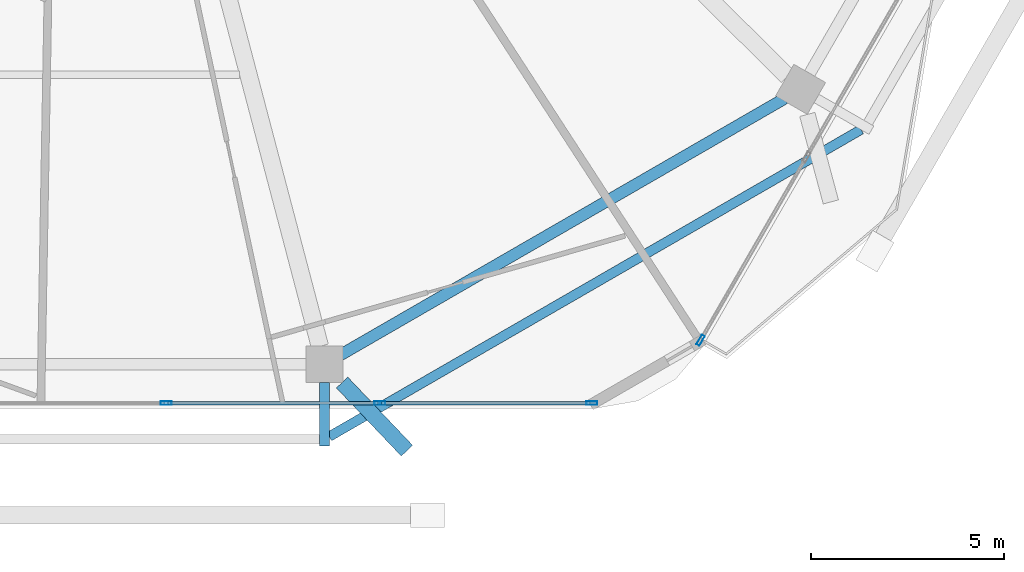
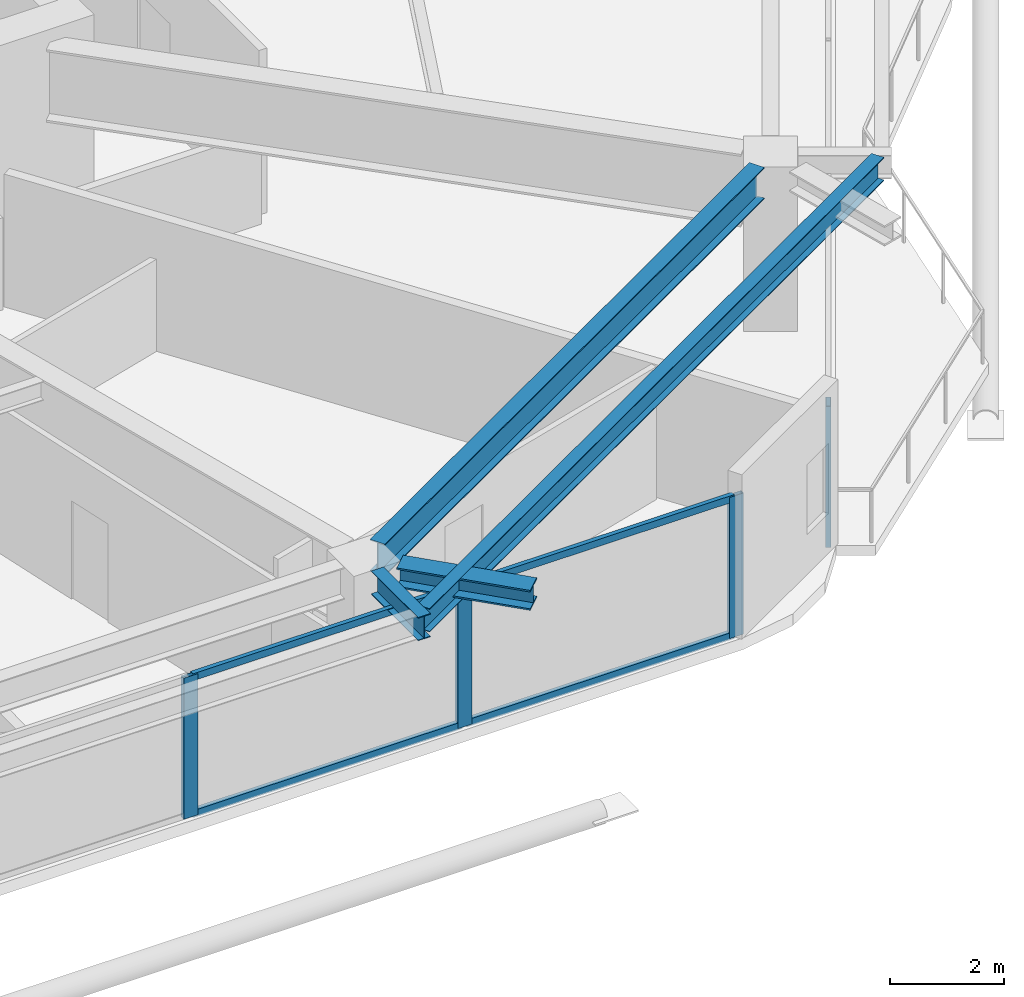
# One storey, part 8 of 28: 8 members, 4 beams, 2 elements without a shape of their own.
"""IFC4 building model written with IfcOpenShell, lengths in metres."""

from ifc_helpers import new_model, si_unit, direction, frame, origin, origin_2d, place, context, subcontext, project, spatial, hollow_rectangle, i_section, extrude, material, material_profile, profile_set, type_object, element, aggregate, save


model = new_model("IFC4")

# Units and contexts
model_context = context("Model", 3, precision=1e-05, world=origin(), true_north=direction((0.0, 1.0)))
body_context = subcontext(model_context, "Body", "Model", "MODEL_VIEW")
ifc_project = project(units=[si_unit("LENGTHUNIT", "METRE"), si_unit("AREAUNIT", "SQUARE_METRE"), si_unit("VOLUMEUNIT", "CUBIC_METRE"), si_unit("PLANEANGLEUNIT", "RADIAN"), si_unit("MASSUNIT", "GRAM", prefix="KILO")], contexts=[model_context])

# Site, building, storey
site_placement = place(None, origin())
site = spatial("IfcSite", under=ifc_project, at=site_placement, CompositionType="ELEMENT")
building_placement = place(site_placement, origin())
building = spatial("IfcBuilding", under=site, at=building_placement, Name="Zuhravey Tower", CompositionType="ELEMENT")
storey_placement = place(building_placement, frame((0.0, 0.0, 222.60009765625)))
storey = spatial("IfcBuildingStorey", under=building, at=storey_placement, Name="L56", CompositionType="ELEMENT", Elevation=222.60009765625)

# Curtain wall, member
ifc_material_1 = material(Name="Thermally broken anodised aluminium", Category="aluminium")
curtain_wall_type = type_object("IfcCurtainWallType", Name="Zone 1-2 Residential Curtain Wall CW3", PredefinedType="NOTDEFINED", material=ifc_material_1)
curtain_wall_1_placement = place(storey_placement, origin())
curtain_wall_1 = element("IfcCurtainWall", 1, at=curtain_wall_1_placement, inside=storey, type_object=curtain_wall_type, Name="L56 CW3 CW-L56-F6-2", PredefinedType="NOTDEFINED")
ifc_material_2 = material(Name="Anodised aluminium", Category="aluminium")
ifc_material_profile_1 = material_profile(ifc_material_2, hollow_rectangle(XDim=0.090087890625, YDim=0.284912109375, WallThickness=0.0048828125, at=origin_2d()), Name="ALU-RHS-90x285x5")
ifc_profile_set_1 = profile_set([ifc_material_profile_1], Name="Anodised aluminium")
member_type_1 = type_object("IfcMemberType", Name="Curtain-Wall Mullion 90x180", PredefinedType="MULLION", material=ifc_profile_set_1)
member_1_placement = place(storey_placement, frame((52.63330078125, 6.443359375, 0.0), z_axis=(0.0, 0.0, 1.0), x_axis=(0.866025738172, -0.499999420824, 0.0)))
member_1 = element("IfcMember", 2, at=member_1_placement, type_object=member_type_1, Name="CW3 mullion 5", PredefinedType="MULLION", context=body_context, shape_type="SweptSolid", body=[
    extrude(hollow_rectangle(XDim=0.090087890625, YDim=0.284912109375, WallThickness=0.0048828125, at=origin_2d()), origin(), (0.0, 0.0, 1.0), 3.02001953125),
])
aggregate(curtain_wall_1, [member_1])

# Curtain wall, members
curtain_wall_2_placement = place(storey_placement, origin())
curtain_wall_2 = element("IfcCurtainWall", 3, at=curtain_wall_2_placement, inside=storey, type_object=curtain_wall_type, Name="L56 CW3 CW-L56-F5-1", PredefinedType="NOTDEFINED")
member_2_placement = place(storey_placement, frame((49.816162109375, 4.81689453125, 0.0), z_axis=(0.0, 0.0, 1.0), x_axis=(0.0, -1.0, 0.0)))
member_2 = element("IfcMember", 4, at=member_2_placement, type_object=member_type_1, Name="CW3 mullion 1", PredefinedType="MULLION", context=body_context, shape_type="SweptSolid", body=[
    extrude(hollow_rectangle(XDim=0.090087890625, YDim=0.284912109375, WallThickness=0.0048828125, at=origin_2d()), origin(), (0.0, 0.0, 1.0), 3.02001953125),
])
member_3_placement = place(storey_placement, frame((44.316650390625, 4.81689453125, 0.0), z_axis=(0.0, 0.0, 1.0), x_axis=(0.0, -1.0, 0.0)))
member_3 = element("IfcMember", 5, at=member_3_placement, type_object=member_type_1, Name="CW3 mullion 2", PredefinedType="MULLION", context=body_context, shape_type="SweptSolid", body=[
    extrude(hollow_rectangle(XDim=0.090087890625, YDim=0.284912109375, WallThickness=0.0048828125, at=origin_2d()), origin(), (0.0, 0.0, 1.0), 3.02001953125),
])
member_4_placement = place(storey_placement, frame((38.772216796875, 4.81689453125, 0.0), z_axis=(0.0, 0.0, 1.0), x_axis=(0.0, -1.0, 0.0)))
member_4 = element("IfcMember", 6, at=member_4_placement, type_object=member_type_1, Name="CW3 mullion 3", PredefinedType="MULLION", context=body_context, shape_type="SweptSolid", body=[
    extrude(hollow_rectangle(XDim=0.090087890625, YDim=0.284912109375, WallThickness=0.0048828125, at=origin_2d()), origin(), (0.0, 0.0, 1.0), 3.02001953125),
])
ifc_material_profile_2 = material_profile(ifc_material_2, hollow_rectangle(XDim=0.090087890625, YDim=0.14990234375, WallThickness=0.0048828125, at=origin_2d()), Name="ALU-RHS-90x150x5")
ifc_profile_set_2 = profile_set([ifc_material_profile_2], Name="Anodised aluminium")
member_type_2 = type_object("IfcMemberType", Name="Curtain-Wall Transom 90x150", PredefinedType="USERDEFINED", material=ifc_profile_set_2)
member_5_placement = place(storey_placement, frame((49.77099609375, 4.81689453125, 0.044921875), z_axis=(-1.0, 0.0, 0.0), x_axis=(0.0, -1.0, 0.0)))
member_5 = element("IfcMember", 7, at=member_5_placement, type_object=member_type_2, Name="CW3 transom 1.1", ObjectType="TRANSOM", PredefinedType="USERDEFINED", context=body_context, shape_type="SweptSolid", body=[
    extrude(hollow_rectangle(XDim=0.090087890625, YDim=0.14990234375, WallThickness=0.0048828125, at=origin_2d()), origin(), (0.0, 0.0, 1.0), 5.409423828125),
])
member_6_placement = place(storey_placement, frame((49.77099609375, 4.81689453125, 2.974853515625), z_axis=(-1.0, 0.0, 0.0), x_axis=(0.0, -1.0, 0.0)))
member_6 = element("IfcMember", 8, at=member_6_placement, type_object=member_type_2, Name="CW3 transom 1.2", ObjectType="TRANSOM", PredefinedType="USERDEFINED", context=body_context, shape_type="SweptSolid", body=[
    extrude(hollow_rectangle(XDim=0.090087890625, YDim=0.14990234375, WallThickness=0.0048828125, at=origin_2d()), origin(), (0.0, 0.0, 1.0), 5.409423828125),
])
member_7_placement = place(storey_placement, frame((44.271728515625, 4.81689453125, 0.044921875), z_axis=(-1.0, 0.0, 0.0), x_axis=(0.0, -1.0, 0.0)))
member_7 = element("IfcMember", 9, at=member_7_placement, type_object=member_type_2, Name="CW3 transom 2.1", ObjectType="TRANSOM", PredefinedType="USERDEFINED", context=body_context, shape_type="SweptSolid", body=[
    extrude(hollow_rectangle(XDim=0.090087890625, YDim=0.14990234375, WallThickness=0.0048828125, at=origin_2d()), origin(), (0.0, 0.0, 1.0), 5.45458984375),
])
member_8_placement = place(storey_placement, frame((44.271728515625, 4.81689453125, 2.974853515625), z_axis=(-1.0, 0.0, 0.0), x_axis=(0.0, -1.0, 0.0)))
member_8 = element("IfcMember", 10, at=member_8_placement, type_object=member_type_2, Name="CW3 transom 2.2", ObjectType="TRANSOM", PredefinedType="USERDEFINED", context=body_context, shape_type="SweptSolid", body=[
    extrude(hollow_rectangle(XDim=0.090087890625, YDim=0.14990234375, WallThickness=0.0048828125, at=origin_2d()), origin(), (0.0, 0.0, 1.0), 5.45458984375),
])
aggregate(curtain_wall_2, [member_2, member_3, member_4, member_5, member_6, member_7, member_8])

# Beams
ifc_material_3 = material(Name="Steel SM460", Category="steel")
ifc_material_profile_3 = material_profile(ifc_material_3, i_section(OverallWidth=0.406982421875, OverallDepth=0.427978515625, WebThickness=0.02001953125, FlangeThickness=0.034912109375, at=origin_2d()), Name="H-428x407x20x35")
ifc_profile_set_3 = profile_set([ifc_material_profile_3], Name="Steel SM460")
beam_type_1 = type_object("IfcBeamType", Name="Exoskeleton Node Tie Beam H428x407", PredefinedType="BEAM", material=ifc_profile_set_3)
beam_1_placement = place(storey_placement, frame((43.3369140625, 5.34912109375, 3.305908203125), z_axis=(0.689425202615, -0.724356880273, 0.0), x_axis=(0.724356880273, 0.689425202615, 0.0)))
element("IfcBeam", 11, at=beam_1_placement, inside=storey, type_object=beam_type_1, Name="L56 Exoskeleton Node Tie NT1-10", PredefinedType="BEAM", context=body_context, shape_type="SweptSolid", body=[
    extrude(i_section(OverallWidth=0.406982421875, OverallDepth=0.427978515625, WebThickness=0.02001953125, FlangeThickness=0.034912109375, at=origin_2d()), origin(), (0.0, 0.0, 1.0), 2.439208984375),
])
ifc_material_4 = material(Name="Steel SM355", Category="steel")
ifc_material_profile_4 = material_profile(ifc_material_4, i_section(OverallWidth=0.300048828125, OverallDepth=0.679931640625, WebThickness=0.012939453125, FlangeThickness=0.02197265625, at=origin_2d()), Name="H-680x300x13x22")
ifc_profile_set_4 = profile_set([ifc_material_profile_4], Name="Steel SM355")
beam_type_2 = type_object("IfcBeamType", Name="Perimeter Ring Beam H680x300", PredefinedType="BEAM", material=ifc_profile_set_4)
beam_2_placement = place(storey_placement, frame((43.2958984375, 6.06591796875, 3.179931640625), z_axis=(0.866029041019, 0.499993700073, 0.0), x_axis=(-0.499993700073, 0.866029041019, 0.0)))
element("IfcBeam", 12, at=beam_2_placement, inside=storey, type_object=beam_type_2, Name="L56 PB2 BM-L56-PB-10", PredefinedType="BEAM", context=body_context, shape_type="SweptSolid", body=[
    extrude(i_section(OverallWidth=0.300048828125, OverallDepth=0.679931640625, WebThickness=0.012939453125, FlangeThickness=0.02197265625, at=origin_2d()), origin(), (0.0, 0.0, 1.0), 13.297119140625),
])
ifc_material_profile_5 = material_profile(ifc_material_4, i_section(OverallWidth=0.25, OverallDepth=0.5, WebThickness=0.010009765625, FlangeThickness=0.01611328125, at=origin_2d()), Name="H-500x250x10x16")
ifc_profile_set_5 = profile_set([ifc_material_profile_5], Name="Steel SM355")
beam_type_3 = type_object("IfcBeamType", Name="Tray Cantilever Spandrel H500x250", PredefinedType="SPANDREL", material=ifc_profile_set_5)
beam_3_placement = place(storey_placement, frame((42.882080078125, 5.347900390625, 3.27001953125), z_axis=(0.0, -1.0, 0.0), x_axis=(1.0, 0.0, 0.0)))
element("IfcBeam", 13, at=beam_3_placement, inside=storey, type_object=beam_type_3, Name="L56 Sky-Tray Cantilever Arm TSB1-R10", PredefinedType="SPANDREL", context=body_context, shape_type="SweptSolid", body=[
    extrude(i_section(OverallWidth=0.25, OverallDepth=0.5, WebThickness=0.010009765625, FlangeThickness=0.01611328125, at=origin_2d()), origin(), (0.0, 0.0, 1.0), 1.64111328125),
])
beam_4_placement = place(storey_placement, frame((43.003173828125, 3.947021484375, 3.27001953125), z_axis=(0.866028559073, 0.49999453484, 0.0), x_axis=(-0.49999453484, 0.866028559073, 0.0)))
element("IfcBeam", 14, at=beam_4_placement, inside=storey, type_object=beam_type_3, Name="L56 Sky-Tray Edge Spandrel TSB1-10", PredefinedType="SPANDREL", context=body_context, shape_type="SweptSolid", body=[
    extrude(i_section(OverallWidth=0.25, OverallDepth=0.5, WebThickness=0.010009765625, FlangeThickness=0.01611328125, at=origin_2d()), origin(), (0.0, 0.0, 1.0), 15.923095703125),
])

save(model, "model.ifc")
